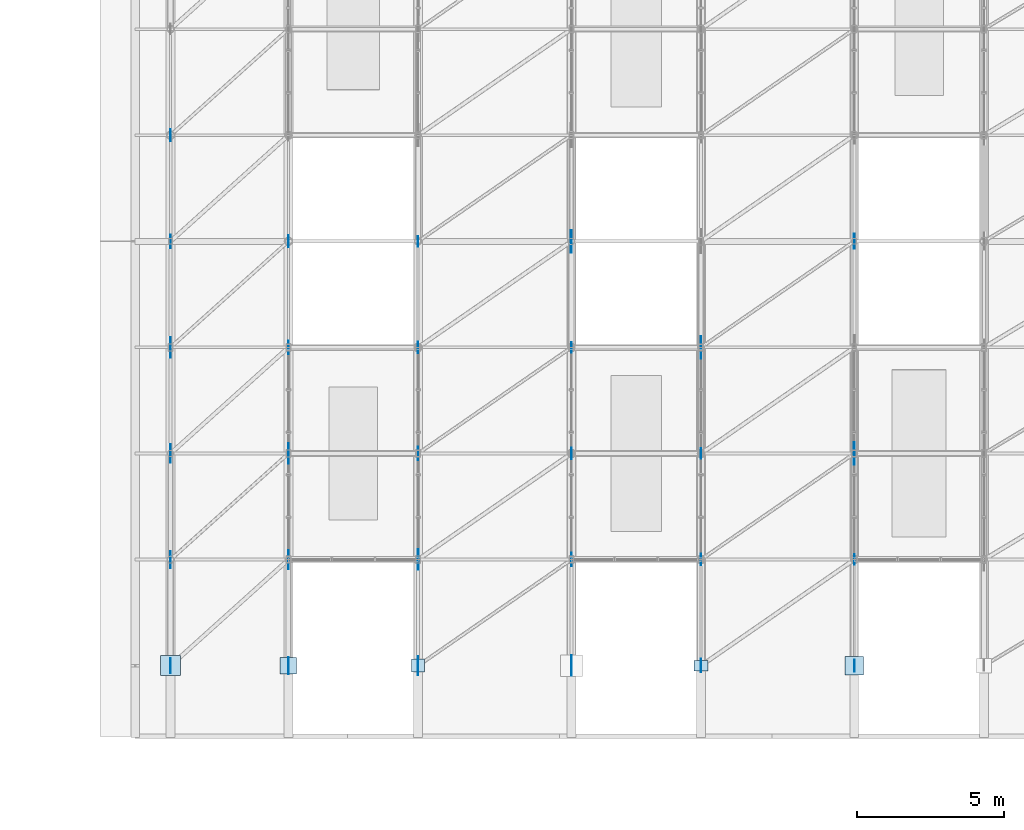
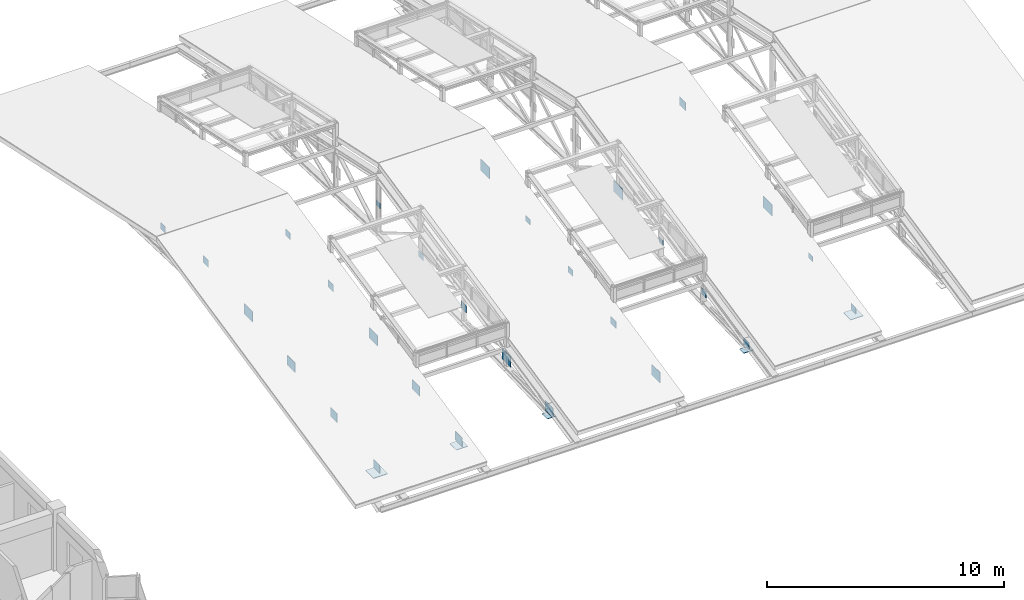
# One storey, part 86 of 124: 34 plates.
"""IFC4 building model written with IfcOpenShell, lengths in metres."""

from ifc_helpers import new_model, si_unit, direction, frame, origin, origin_2d, place, context, subcontext, project, spatial, rectangle, extrude, material, layer, layer_set, type_object, element, save


model = new_model("IFC4")

# Units and contexts
model_context = context("Model", 3, precision=1e-05, world=origin(), true_north=direction((0.0, 1.0)))
body_context = subcontext(model_context, "Body", "Model", "MODEL_VIEW")
ifc_project = project(units=[si_unit("LENGTHUNIT", "METRE"), si_unit("AREAUNIT", "SQUARE_METRE"), si_unit("VOLUMEUNIT", "CUBIC_METRE"), si_unit("PLANEANGLEUNIT", "RADIAN"), si_unit("MASSUNIT", "GRAM", prefix="KILO"), si_unit("THERMODYNAMICTEMPERATUREUNIT", "KELVIN"), si_unit("POWERUNIT", "WATT")], contexts=[model_context])

# Site, building, storey
site_placement = place(None, origin())
site = spatial("IfcSite", under=ifc_project, at=site_placement, CompositionType="ELEMENT")
building_placement = place(site_placement, origin())
building = spatial("IfcBuilding", under=site, at=building_placement, Name="Tavuni Mirador Residences", CompositionType="ELEMENT")
storey_placement = place(building_placement, frame((0.0, 0.0, 7.64990234375)))
storey = spatial("IfcBuildingStorey", under=building, at=storey_placement, Name="L02", CompositionType="ELEMENT", Elevation=7.64990234375)

# Plates
ifc_material = material(Name="Structural steel S355", Category="steel")
ifc_layer_1 = layer(ifc_material, 0.028076171875, Name="Structural steel S355", Category="steel")
ifc_layer_set_1 = layer_set([ifc_layer_1], Name="Structural steel S355")
plate_type_1 = type_object("IfcPlateType", Name="PLT-BP01", PredefinedType="USERDEFINED", material=ifc_layer_set_1)
plate_1_placement = place(storey_placement, frame((40.800048828125, 72.0, -0.65380859375), z_axis=(0.0, 0.0, 1.0), x_axis=(1.0, 0.0, 0.0)))
element("IfcPlate", 1, at=plate_1_placement, inside=storey, type_object=plate_type_1, Name="TR-1-BP-S", ObjectType="BASE PLATE", PredefinedType="USERDEFINED", context=body_context, shape_type="SweptSolid", body=[
    extrude(rectangle(XDim=0.679931640625, YDim=0.679931640625, at=origin_2d()), origin(), (0.0, 0.0, 1.0), 0.028076171875),
])
ifc_layer_2 = layer(ifc_material, 0.02587890625, Name="Structural steel S355", Category="steel")
ifc_layer_set_2 = layer_set([ifc_layer_2], Name="Structural steel S355")
plate_type_2 = type_object("IfcPlateType", Name="PLT-BP02", PredefinedType="USERDEFINED", material=ifc_layer_set_2)
plate_2_placement = place(storey_placement, frame((64.0, 72.0, -0.65283203125), z_axis=(0.0, 0.0, 1.0), x_axis=(1.0, 0.0, 0.0)))
element("IfcPlate", 2, at=plate_2_placement, inside=storey, type_object=plate_type_2, Name="TR-6-BP-S", ObjectType="BASE PLATE", PredefinedType="USERDEFINED", context=body_context, shape_type="SweptSolid", body=[
    extrude(rectangle(XDim=0.6201171875, YDim=0.6201171875, at=origin_2d()), origin(), (0.0, 0.0, 1.0), 0.02587890625),
])
ifc_layer_3 = layer(ifc_material, 0.02490234375, Name="Structural steel S355", Category="steel")
ifc_layer_set_3 = layer_set([ifc_layer_3], Name="Structural steel S355")
plate_type_3 = type_object("IfcPlateType", Name="PLT-BP03", PredefinedType="USERDEFINED", material=ifc_layer_set_3)
plate_3_placement = place(storey_placement, frame((44.800048828125, 72.0, -0.65234375), z_axis=(0.0, 0.0, 1.0), x_axis=(1.0, 0.0, 0.0)))
element("IfcPlate", 3, at=plate_3_placement, inside=storey, type_object=plate_type_3, Name="TR-2-BP-S", ObjectType="BASE PLATE", PredefinedType="USERDEFINED", context=body_context, shape_type="SweptSolid", body=[
    extrude(rectangle(XDim=0.56005859375, YDim=0.56005859375, at=origin_2d()), origin(), (0.0, 0.0, 1.0), 0.02490234375),
])
ifc_layer_4 = layer(ifc_material, 0.02197265625, Name="Structural steel S355", Category="steel")
ifc_layer_set_4 = layer_set([ifc_layer_4], Name="Structural steel S355")
plate_type_4 = type_object("IfcPlateType", Name="PLT-BP05", PredefinedType="USERDEFINED", material=ifc_layer_set_4)
plate_4_placement = place(storey_placement, frame((49.199951171875, 72.0, -0.65087890625), z_axis=(0.0, 0.0, 1.0), x_axis=(1.0, 0.0, 0.0)))
element("IfcPlate", 4, at=plate_4_placement, inside=storey, type_object=plate_type_4, Name="TR-3-BP-S", ObjectType="BASE PLATE", PredefinedType="USERDEFINED", context=body_context, shape_type="SweptSolid", body=[
    extrude(rectangle(XDim=0.43994140625, YDim=0.43994140625, at=origin_2d()), origin(), (0.0, 0.0, 1.0), 0.02197265625),
])
ifc_layer_5 = layer(ifc_material, 0.02197265625, Name="Structural steel S355", Category="steel")
ifc_layer_set_5 = layer_set([ifc_layer_5], Name="Structural steel S355")
plate_type_5 = type_object("IfcPlateType", Name="PLT-BP09", PredefinedType="USERDEFINED", material=ifc_layer_set_5)
plate_5_placement = place(storey_placement, frame((58.800048828125, 72.0, -0.65087890625), z_axis=(0.0, 0.0, 1.0), x_axis=(1.0, 0.0, 0.0)))
element("IfcPlate", 5, at=plate_5_placement, inside=storey, type_object=plate_type_5, Name="TR-5-BP-S", ObjectType="BASE PLATE", PredefinedType="USERDEFINED", context=body_context, shape_type="SweptSolid", body=[
    extrude(rectangle(XDim=0.47998046875, YDim=0.360107421875, at=origin_2d()), origin(), (0.0, 0.0, 1.0), 0.02197265625),
])
ifc_layer_6 = layer(ifc_material, 0.02001953125, Name="Structural steel S355", Category="steel")
ifc_layer_set_6 = layer_set([ifc_layer_6], Name="Structural steel S355")
plate_type_6 = type_object("IfcPlateType", Name="PLT-GP01", PredefinedType="USERDEFINED", material=ifc_layer_set_6)
for number, where, z_axis, x_axis, name in (
    (6, (40.800048828125, 72.0, -0.544921875), (0.0, 0.0, 1.0), (0.0, 1.0, 0.0), "TR-1-GP-00"),
    (7, (64.0, 86.39990234375, 1.255126953125), (0.0, 0.0, 1.0), (0.0, 1.0, 0.0), "TR-6-GP-04"),
):
    element("IfcPlate", number, at=place(storey_placement, frame(where, z_axis=z_axis, x_axis=x_axis)), inside=storey, type_object=plate_type_6, Name=name, ObjectType="GUSSET PLATE", PredefinedType="USERDEFINED", context=body_context, shape_type="SweptSolid", body=[
        extrude(rectangle(XDim=0.52001953125, YDim=0.02001953125, at=origin_2d()), origin(), (0.0, 0.0, 1.0), 0.419921875),
    ])
ifc_layer_7 = layer(ifc_material, 0.02197265625, Name="Structural steel S355", Category="steel")
ifc_layer_set_7 = layer_set([ifc_layer_7], Name="Structural steel S355")
plate_type_7 = type_object("IfcPlateType", Name="PLT-GP02", PredefinedType="USERDEFINED", material=ifc_layer_set_7)
for number, where, z_axis, x_axis, name in (
    (8, (40.800048828125, 75.60009765625, -0.114990234375), (0.0, 0.0, 1.0), (0.0, 1.0, 0.0), "TR-1-GP-01"),
    (9, (44.800048828125, 72.0, -0.56494140625), (0.0, 0.0, 1.0), (0.0, 1.0, 0.0), "TR-2-GP-00"),
):
    element("IfcPlate", number, at=place(storey_placement, frame(where, z_axis=z_axis, x_axis=x_axis)), inside=storey, type_object=plate_type_7, Name=name, ObjectType="GUSSET PLATE", PredefinedType="USERDEFINED", context=body_context, shape_type="SweptSolid", body=[
        extrude(rectangle(XDim=0.580078125, YDim=0.02197265625, at=origin_2d()), origin(), (0.0, 0.0, 1.0), 0.4599609375),
    ])
ifc_layer_8 = layer(ifc_material, 0.02392578125, Name="Structural steel S355", Category="steel")
ifc_layer_set_8 = layer_set([ifc_layer_8], Name="Structural steel S355")
plate_type_8 = type_object("IfcPlateType", Name="PLT-GP03", PredefinedType="USERDEFINED", material=ifc_layer_set_8)
for number, where, z_axis, x_axis, name in (
    (10, (40.800048828125, 79.199951171875, 0.315185546875), (0.0, 0.0, 1.0), (0.0, 1.0, 0.0), "TR-1-GP-02"),
    (11, (44.800048828125, 75.60009765625, -0.135009765625), (0.0, 0.0, 1.0), (0.0, 1.0, 0.0), "TR-2-GP-01"),
    (12, (49.199951171875, 72.0, -0.5849609375), (0.0, 0.0, 1.0), (0.0, 1.0, 0.0), "TR-3-GP-00"),
):
    element("IfcPlate", number, at=place(storey_placement, frame(where, z_axis=z_axis, x_axis=x_axis)), inside=storey, type_object=plate_type_8, Name=name, ObjectType="GUSSET PLATE", PredefinedType="USERDEFINED", context=body_context, shape_type="SweptSolid", body=[
        extrude(rectangle(XDim=0.639892578125, YDim=0.02392578125, at=origin_2d()), origin(), (0.0, 0.0, 1.0), 0.5),
    ])
ifc_layer_9 = layer(ifc_material, 0.02490234375, Name="Structural steel S355", Category="steel")
ifc_layer_set_9 = layer_set([ifc_layer_9], Name="Structural steel S355")
plate_type_9 = type_object("IfcPlateType", Name="PLT-GP04", PredefinedType="USERDEFINED", material=ifc_layer_set_9)
for number, where, z_axis, x_axis, name in (
    (13, (40.800048828125, 82.800048828125, 0.7451171875), (0.0, 0.0, 1.0), (0.0, 1.0, 0.0), "TR-1-GP-03"),
    (14, (44.800048828125, 79.199951171875, 0.295166015625), (0.0, 0.0, 1.0), (0.0, 1.0, 0.0), "TR-2-GP-02"),
    (15, (49.199951171875, 75.60009765625, -0.155029296875), (0.0, 0.0, 1.0), (0.0, 1.0, 0.0), "TR-3-GP-01"),
    (16, (54.39990234375, 72.0, -0.60498046875), (0.0, 0.0, 1.0), (0.0, 1.0, 0.0), "TR-4-GP-00"),
):
    element("IfcPlate", number, at=place(storey_placement, frame(where, z_axis=z_axis, x_axis=x_axis)), inside=storey, type_object=plate_type_9, Name=name, ObjectType="GUSSET PLATE", PredefinedType="USERDEFINED", context=body_context, shape_type="SweptSolid", body=[
        extrude(rectangle(XDim=0.699951171875, YDim=0.02490234375, at=origin_2d()), origin(), (0.0, 0.0, 1.0), 0.5400390625),
    ])
ifc_layer_10 = layer(ifc_material, 0.01806640625, Name="Structural steel S355", Category="steel")
ifc_layer_set_10 = layer_set([ifc_layer_10], Name="Structural steel S355")
plate_type_10 = type_object("IfcPlateType", Name="PLT-GP05", PredefinedType="USERDEFINED", material=ifc_layer_set_10)
for number, where, z_axis, x_axis, name in (
    (17, (40.800048828125, 86.39990234375, 1.28515625), (0.0, 0.0, 1.0), (0.0, 1.0, 0.0), "TR-1-GP-04"),
    (18, (44.800048828125, 82.800048828125, 0.8349609375), (0.0, 0.0, 1.0), (0.0, 1.0, 0.0), "TR-2-GP-03"),
    (19, (49.199951171875, 79.199951171875, 0.38525390625), (0.0, 0.0, 1.0), (0.0, 1.0, 0.0), "TR-3-GP-02"),
    (20, (54.39990234375, 75.60009765625, -0.06494140625), (0.0, 0.0, 1.0), (0.0, 1.0, 0.0), "TR-4-GP-01"),
    (21, (58.800048828125, 72.0, -0.51513671875), (0.0, 0.0, 1.0), (0.0, 1.0, 0.0), "TR-5-GP-00"),
):
    element("IfcPlate", number, at=place(storey_placement, frame(where, z_axis=z_axis, x_axis=x_axis)), inside=storey, type_object=plate_type_10, Name=name, ObjectType="GUSSET PLATE", PredefinedType="USERDEFINED", context=body_context, shape_type="SweptSolid", body=[
        extrude(rectangle(XDim=0.4599609375, YDim=0.01806640625, at=origin_2d()), origin(), (0.0, 0.0, 1.0), 0.360107421875),
    ])
ifc_layer_11 = layer(ifc_material, 0.01611328125, Name="Structural steel S355", Category="steel")
ifc_layer_set_11 = layer_set([ifc_layer_11], Name="Structural steel S355")
plate_type_11 = type_object("IfcPlateType", Name="PLT-GP06", PredefinedType="USERDEFINED", material=ifc_layer_set_11)
for number, where, z_axis, x_axis, name in (
    (22, (40.800048828125, 90.0, 0.85498046875), (0.0, 0.0, 1.0), (0.0, 1.0, 0.0), "TR-1-GP-05"),
    (23, (44.800048828125, 86.39990234375, 1.30517578125), (0.0, 0.0, 1.0), (0.0, 1.0, 0.0), "TR-2-GP-04"),
    (24, (49.199951171875, 82.800048828125, 0.85498046875), (0.0, 0.0, 1.0), (0.0, 1.0, 0.0), "TR-3-GP-03"),
    (25, (54.39990234375, 79.199951171875, 0.4052734375), (0.0, 0.0, 1.0), (0.0, 1.0, 0.0), "TR-4-GP-02"),
    (26, (58.800048828125, 75.60009765625, -0.044921875), (0.0, 0.0, 1.0), (0.0, 1.0, 0.0), "TR-5-GP-01"),
    (27, (64.0, 72.0, -0.4951171875), (0.0, 0.0, 1.0), (0.0, 1.0, 0.0), "TR-6-GP-00"),
):
    element("IfcPlate", number, at=place(storey_placement, frame(where, z_axis=z_axis, x_axis=x_axis)), inside=storey, type_object=plate_type_11, Name=name, ObjectType="GUSSET PLATE", PredefinedType="USERDEFINED", context=body_context, shape_type="SweptSolid", body=[
        extrude(rectangle(XDim=0.39990234375, YDim=0.01611328125, at=origin_2d()), origin(), (0.0, 0.0, 1.0), 0.320068359375),
    ])
ifc_layer_12 = layer(ifc_material, 0.014892578125, Name="Structural steel S355", Category="steel")
ifc_layer_set_12 = layer_set([ifc_layer_12], Name="Structural steel S355")
plate_type_12 = type_object("IfcPlateType", Name="PLT-GP07", PredefinedType="USERDEFINED", material=ifc_layer_set_12)
for number, where, z_axis, x_axis, name in (
    (28, (49.199951171875, 86.39990234375, 1.3251953125), (0.0, 0.0, 1.0), (0.0, 1.0, 0.0), "TR-3-GP-04"),
    (29, (54.39990234375, 82.800048828125, 0.875), (0.0, 0.0, 1.0), (0.0, 1.0, 0.0), "TR-4-GP-03"),
    (30, (58.800048828125, 79.199951171875, 0.42529296875), (0.0, 0.0, 1.0), (0.0, 1.0, 0.0), "TR-5-GP-02"),
    (31, (64.0, 75.60009765625, -0.02490234375), (0.0, 0.0, 1.0), (0.0, 1.0, 0.0), "TR-6-GP-01"),
):
    element("IfcPlate", number, at=place(storey_placement, frame(where, z_axis=z_axis, x_axis=x_axis)), inside=storey, type_object=plate_type_12, Name=name, ObjectType="GUSSET PLATE", PredefinedType="USERDEFINED", context=body_context, shape_type="SweptSolid", body=[
        extrude(rectangle(XDim=0.360107421875, YDim=0.014892578125, at=origin_2d()), origin(), (0.0, 0.0, 1.0), 0.280029296875),
    ])
ifc_layer_13 = layer(ifc_material, 0.02587890625, Name="Structural steel S355", Category="steel")
ifc_layer_set_13 = layer_set([ifc_layer_13], Name="Structural steel S355")
plate_type_13 = type_object("IfcPlateType", Name="PLT-GP08", PredefinedType="USERDEFINED", material=ifc_layer_set_13)
for number, where, z_axis, x_axis, name in (
    (32, (54.39990234375, 86.39990234375, 1.175048828125), (0.0, 0.0, 1.0), (0.0, 1.0, 0.0), "TR-4-GP-04"),
    (33, (58.800048828125, 82.800048828125, 0.72509765625), (0.0, 0.0, 1.0), (0.0, 1.0, 0.0), "TR-5-GP-03"),
    (34, (64.0, 79.199951171875, 0.275146484375), (0.0, 0.0, 1.0), (0.0, 1.0, 0.0), "TR-6-GP-02"),
):
    element("IfcPlate", number, at=place(storey_placement, frame(where, z_axis=z_axis, x_axis=x_axis)), inside=storey, type_object=plate_type_13, Name=name, ObjectType="GUSSET PLATE", PredefinedType="USERDEFINED", context=body_context, shape_type="SweptSolid", body=[
        extrude(rectangle(XDim=0.760009765625, YDim=0.02587890625, at=origin_2d()), origin(), (0.0, 0.0, 1.0), 0.580078125),
    ])

save(model, "model.ifc")
